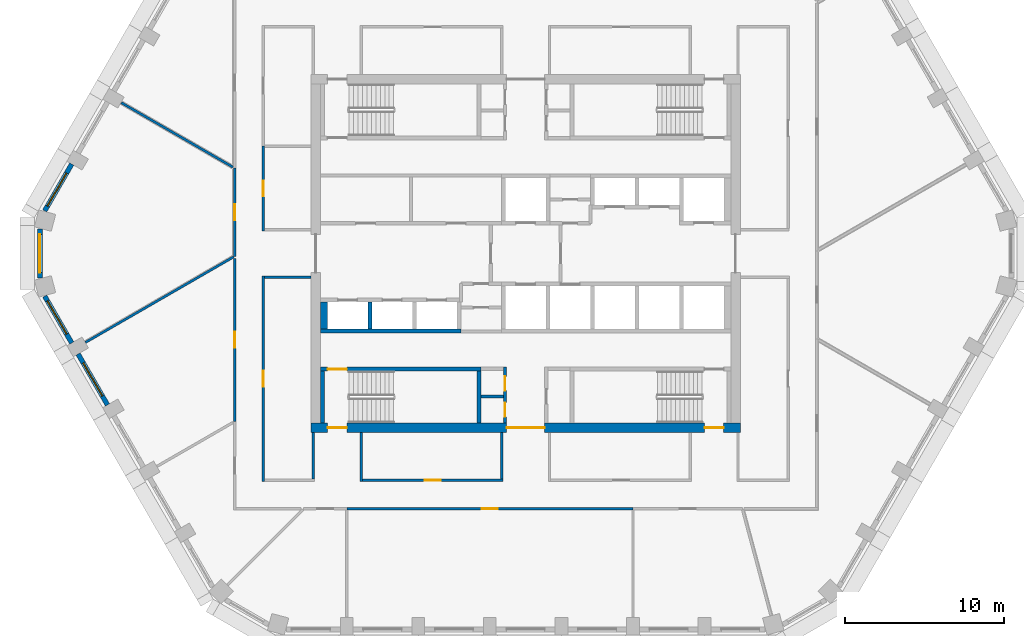
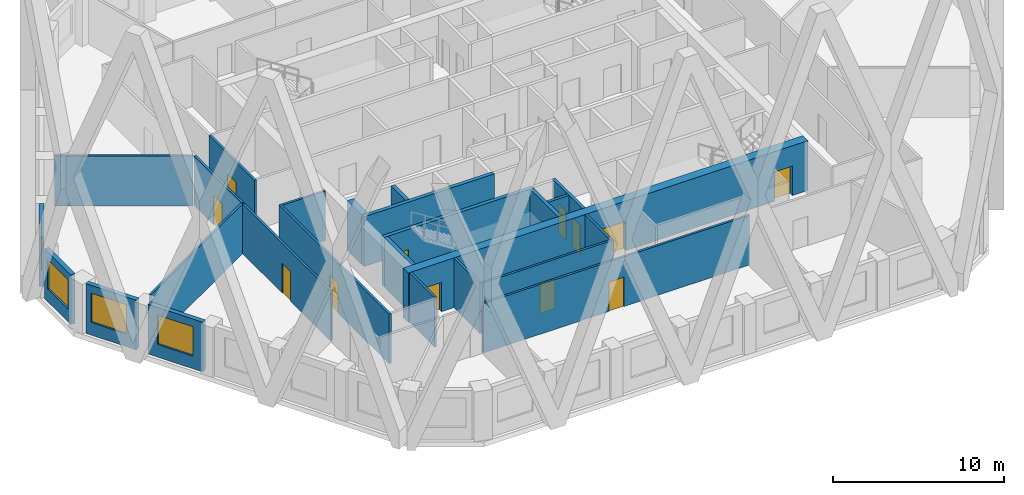
# One storey, part 2 of 16: 25 walls, 12 doors, 4 windows, 16 openings.
"""IFC4 building model written with IfcOpenShell, lengths in metres."""

from ifc_helpers import new_model, si_unit, direction, frame, frame_2d, origin, place, context, subcontext, project, spatial, polyline, rectangle, outline, extrude, material, layer, layer_set, type_object, element, fill, save


model = new_model("IFC4")

# Units and contexts
model_context = context("Model", 3, precision=1e-05, world=origin(), true_north=direction((0.0, 1.0)))
body_context = subcontext(model_context, "Body", "Model", "MODEL_VIEW")
ifc_project = project(units=[si_unit("LENGTHUNIT", "METRE"), si_unit("AREAUNIT", "SQUARE_METRE"), si_unit("VOLUMEUNIT", "CUBIC_METRE"), si_unit("PLANEANGLEUNIT", "RADIAN"), si_unit("MASSUNIT", "GRAM", prefix="KILO")], contexts=[model_context])

# Site, building, storey
site_placement = place(None, origin())
site = spatial("IfcSite", under=ifc_project, at=site_placement, CompositionType="ELEMENT")
building_placement = place(site_placement, origin())
building = spatial("IfcBuilding", under=site, at=building_placement, Name="Dhurran Vertical Campus", CompositionType="ELEMENT")
storey_placement = place(building_placement, frame((0.0, 0.0, 183.89990234375)))
storey = spatial("IfcBuildingStorey", under=building, at=storey_placement, Name="L45", CompositionType="ELEMENT", Elevation=183.89990234375)

# Wall, opening, window
ifc_material_1 = material(Name="Precast concrete C50/60", Category="concrete")
ifc_layer_1 = layer(ifc_material_1, 0.300048828125)
ifc_layer_set_1 = layer_set([ifc_layer_1], Name="Precast concrete C50/60")
wall_type_1 = type_object("IfcWallType", Name="Precast spandrel wall 300", PredefinedType="SOLIDWALL", material=ifc_layer_set_1)
wall_1_placement = place(storey_placement, frame((-28.544189453125, 5.625244140625, 0.0), z_axis=(0.0, 0.0, 1.0), x_axis=(-0.500012868213, -0.866017974191, 0.0)))
wall_1 = element("IfcWall", 1, at=wall_1_placement, inside=storey, type_object=wall_type_1, Name="EW1 L45.32", PredefinedType="SOLIDWALL", context=body_context, shape_type="SweptSolid", body=[
    extrude(rectangle(XDim=3.39599609375, YDim=0.300048828125, at=frame_2d((1.697998046875, 0.0))), origin(), (0.0, 0.0, 1.0), 3.550048828125),
])
opening_1_placement = place(wall_1_placement, frame((0.6494140625, 0.0, 0.89990234375)))
opening_1 = element("IfcOpeningElement", 2, at=opening_1_placement, cuts=wall_1, Name="Opening WT1", PredefinedType="OPENING", context=body_context, shape_type="SweptSolid", body=[
    extrude(rectangle(XDim=2.39990234375, YDim=2.10009765625, at=frame_2d((1.199951171875, 1.050048828125))), frame((0.0, 0.159912109375, 0.0), z_axis=(0.0, -1.0, 0.0), x_axis=(1.0, 0.0, 0.0)), (0.0, 0.0, 1.0), 0.320068359375),
])
ifc_material_2 = material(Name="Aluminium frame with solar-control glass", Category="aluminium")
window_type = type_object("IfcWindowType", Name="Punched window 2400 x 2100", PartitioningType="SINGLE_PANEL", PredefinedType="WINDOW", material=ifc_material_2)
window_1_placement = place(opening_1_placement, origin())
window_1 = element("IfcWindow", 3, at=window_1_placement, inside=storey, type_object=window_type, Name="WT1 L45.32", OverallHeight=2.10009765625, OverallWidth=2.39990234375, PartitioningType="SINGLE_PANEL", PredefinedType="WINDOW", context=body_context, shape_type="SweptSolid", body=[
    extrude(rectangle(XDim=2.39990234375, YDim=2.10009765625, at=frame_2d((1.199951171875, 1.050048828125))), frame((0.0, 0.030029296875, 0.0), z_axis=(0.0, -1.0, 0.0), x_axis=(1.0, 0.0, 0.0)), (0.0, 0.0, 1.0), 0.06005859375),
])
fill(opening_1, window_1)

wall_2_placement = place(storey_placement, frame((-30.547119140625, 1.54638671875, 0.0), z_axis=(0.0, 0.0, 1.0), x_axis=(0.0, -1.0, 0.0)))
wall_2 = element("IfcWall", 4, at=wall_2_placement, inside=storey, type_object=wall_type_1, Name="EW1 L45.33", PredefinedType="SOLIDWALL", context=body_context, shape_type="SweptSolid", body=[
    extrude(rectangle(XDim=3.0927734375, YDim=0.300048828125, at=frame_2d((1.54638671875, 0.0))), origin(), (0.0, 0.0, 1.0), 3.550048828125),
])
opening_2_placement = place(wall_2_placement, frame((0.34619140625, 0.0, 0.89990234375)))
opening_2 = element("IfcOpeningElement", 5, at=opening_2_placement, cuts=wall_2, Name="Opening WT1", PredefinedType="OPENING", context=body_context, shape_type="SweptSolid", body=[
    extrude(rectangle(XDim=2.39990234375, YDim=2.10009765625, at=frame_2d((1.199951171875, 1.050048828125))), frame((0.0, 0.159912109375, 0.0), z_axis=(0.0, -1.0, 0.0), x_axis=(1.0, 0.0, 0.0)), (0.0, 0.0, 1.0), 0.320068359375),
])
window_2_placement = place(opening_2_placement, origin())
window_2 = element("IfcWindow", 6, at=window_2_placement, inside=storey, type_object=window_type, Name="WT1 L45.33", OverallHeight=2.10009765625, OverallWidth=2.39990234375, PartitioningType="SINGLE_PANEL", PredefinedType="WINDOW", context=body_context, shape_type="SweptSolid", body=[
    extrude(rectangle(XDim=2.39990234375, YDim=2.10009765625, at=frame_2d((1.199951171875, 1.050048828125))), frame((0.0, 0.030029296875, 0.0), z_axis=(0.0, -1.0, 0.0), x_axis=(1.0, 0.0, 0.0)), (0.0, 0.0, 1.0), 0.06005859375),
])
fill(opening_2, window_2)

wall_3_placement = place(storey_placement, frame((-30.2421875, -2.684326171875, 0.0), z_axis=(0.0, 0.0, 1.0), x_axis=(0.500012868213, -0.866017974191, 0.0)))
wall_3 = element("IfcWall", 7, at=wall_3_placement, inside=storey, type_object=wall_type_1, Name="EW1 L45.34", PredefinedType="SOLIDWALL", context=body_context, shape_type="SweptSolid", body=[
    extrude(rectangle(XDim=3.39599609375, YDim=0.300048828125, at=frame_2d((1.697998046875, 0.0))), origin(), (0.0, 0.0, 1.0), 3.550048828125),
])
opening_3_placement = place(wall_3_placement, frame((0.346435546875, 0.0, 0.89990234375)))
opening_3 = element("IfcOpeningElement", 8, at=opening_3_placement, cuts=wall_3, Name="Opening WT1", PredefinedType="OPENING", context=body_context, shape_type="SweptSolid", body=[
    extrude(rectangle(XDim=2.39990234375, YDim=2.10009765625, at=frame_2d((1.199951171875, 1.050048828125))), frame((0.0, 0.159912109375, 0.0), z_axis=(0.0, -1.0, 0.0), x_axis=(1.0, 0.0, 0.0)), (0.0, 0.0, 1.0), 0.320068359375),
])
window_3_placement = place(opening_3_placement, origin())
window_3 = element("IfcWindow", 9, at=window_3_placement, inside=storey, type_object=window_type, Name="WT1 L45.34", OverallHeight=2.10009765625, OverallWidth=2.39990234375, PartitioningType="SINGLE_PANEL", PredefinedType="WINDOW", context=body_context, shape_type="SweptSolid", body=[
    extrude(rectangle(XDim=2.39990234375, YDim=2.10009765625, at=frame_2d((1.199951171875, 1.050048828125))), frame((0.0, 0.030029296875, 0.0), z_axis=(0.0, -1.0, 0.0), x_axis=(1.0, 0.0, 0.0)), (0.0, 0.0, 1.0), 0.06005859375),
])
fill(opening_3, window_3)

wall_4_placement = place(storey_placement, frame((-28.143798828125, -6.319091796875, 0.0), z_axis=(0.0, 0.0, 1.0), x_axis=(0.500029062817, -0.866008623709, 0.0)))
wall_4 = element("IfcWall", 10, at=wall_4_placement, inside=storey, type_object=wall_type_1, Name="EW1 L45.35", PredefinedType="SOLIDWALL", context=body_context, shape_type="SweptSolid", body=[
    extrude(rectangle(XDim=3.698974609375, YDim=0.300048828125, at=frame_2d((1.849609375, 0.0))), origin(), (0.0, 0.0, 1.0), 3.550048828125),
])
opening_4_placement = place(wall_4_placement, frame((0.6494140625, 0.0, 0.89990234375)))
opening_4 = element("IfcOpeningElement", 11, at=opening_4_placement, cuts=wall_4, Name="Opening WT1", PredefinedType="OPENING", context=body_context, shape_type="SweptSolid", body=[
    extrude(rectangle(XDim=2.39990234375, YDim=2.10009765625, at=frame_2d((1.199951171875, 1.050048828125))), frame((0.0, 0.159912109375, 0.0), z_axis=(0.0, -1.0, 0.0), x_axis=(1.0, 0.0, 0.0)), (0.0, 0.0, 1.0), 0.320068359375),
])
window_4_placement = place(opening_4_placement, origin())
window_4 = element("IfcWindow", 12, at=window_4_placement, inside=storey, type_object=window_type, Name="WT1 L45.35", OverallHeight=2.10009765625, OverallWidth=2.39990234375, PartitioningType="SINGLE_PANEL", PredefinedType="WINDOW", context=body_context, shape_type="SweptSolid", body=[
    extrude(rectangle(XDim=2.39990234375, YDim=2.10009765625, at=frame_2d((1.199951171875, 1.050048828125))), frame((0.0, 0.030029296875, 0.0), z_axis=(0.0, -1.0, 0.0), x_axis=(1.0, 0.0, 0.0)), (0.0, 0.0, 1.0), 0.06005859375),
])
fill(opening_4, window_4)

# Wall, openings, doors
ifc_material_3 = material(Name="Concrete C50/60", Category="concrete")
ifc_layer_2 = layer(ifc_material_3, 0.60009765625)
ifc_layer_set_2 = layer_set([ifc_layer_2], Name="Concrete C50/60")
wall_type_2 = type_object("IfcWallType", Name="co-CORE-WALL-C2-600", PredefinedType="SHEAR", material=ifc_layer_set_2)
wall_5_placement = place(storey_placement, frame((-13.5, -10.949951171875, 0.0), z_axis=(0.0, 0.0, 1.0), x_axis=(1.0, 0.0, 0.0)))
wall_5 = element("IfcWall", 13, at=wall_5_placement, inside=storey, type_object=wall_type_2, Name="Core wall S L45", PredefinedType="SHEAR", context=body_context, shape_type="SweptSolid", body=[
    extrude(rectangle(XDim=27.0, YDim=0.60009765625, at=frame_2d((13.5, 0.0))), origin(), (0.0, 0.0, 1.0), 3.550048828125),
])
opening_5_placement = place(wall_5_placement, frame((12.300048828125, 0.0, 0.0)))
opening_5 = element("IfcOpeningElement", 14, at=opening_5_placement, cuts=wall_5, Name="Opening CV2", PredefinedType="OPENING", context=body_context, shape_type="SweptSolid", body=[
    extrude(rectangle(XDim=2.39990234375, YDim=2.10009765625, at=frame_2d((1.199951171875, 1.050048828125))), frame((0.0, 0.31005859375, 0.0), z_axis=(0.0, -1.0, 0.0), x_axis=(1.0, 0.0, 0.0)), (0.0, 0.0, 1.0), 0.6201171875),
])
opening_6_placement = place(wall_5_placement, frame((1.050048828125, 0.0, 0.0)))
opening_6 = element("IfcOpeningElement", 15, at=opening_6_placement, cuts=wall_5, Name="Opening XD3", PredefinedType="OPENING", context=body_context, shape_type="SweptSolid", body=[
    extrude(rectangle(XDim=1.199951171875, YDim=2.10009765625, at=frame_2d((0.60009765625, 1.050048828125))), frame((0.0, 0.31005859375, 0.0), z_axis=(0.0, -1.0, 0.0), x_axis=(1.0, 0.0, 0.0)), (0.0, 0.0, 1.0), 0.6201171875),
])
opening_7_placement = place(wall_5_placement, frame((24.75, 0.0, 0.0)))
opening_7 = element("IfcOpeningElement", 16, at=opening_7_placement, cuts=wall_5, Name="Opening XD4", PredefinedType="OPENING", context=body_context, shape_type="SweptSolid", body=[
    extrude(rectangle(XDim=1.199951171875, YDim=2.10009765625, at=frame_2d((0.60009765625, 1.050048828125))), frame((0.0, 0.31005859375, 0.0), z_axis=(0.0, -1.0, 0.0), x_axis=(1.0, 0.0, 0.0)), (0.0, 0.0, 1.0), 0.6201171875),
])
ifc_material_4 = material(Name="Fire-rated glazed door set")
door_type_1 = type_object("IfcDoorType", Name="co-D-LOBBY 2400x2100", OperationType="DOUBLE_DOOR_DOUBLE_SWING", PredefinedType="DOOR", material=ifc_material_4)
door_1_placement = place(opening_5_placement, origin())
door_1 = element("IfcDoor", 17, at=door_1_placement, inside=storey, type_object=door_type_1, Name="Core vestibule door S L45", OperationType="DOUBLE_DOOR_DOUBLE_SWING", OverallHeight=2.10009765625, OverallWidth=2.39990234375, PredefinedType="DOOR", context=body_context, shape_type="SweptSolid", body=[
    extrude(rectangle(XDim=2.39990234375, YDim=2.10009765625, at=frame_2d((1.199951171875, 1.050048828125))), frame((0.0, 0.02490234375, 0.0), z_axis=(0.0, -1.0, 0.0), x_axis=(1.0, 0.0, 0.0)), (0.0, 0.0, 1.0), 0.050048828125),
])
fill(opening_5, door_1)
ifc_material_5 = material(Name="Fire-rated steel door set", Category="steel")
door_type_2 = type_object("IfcDoorType", Name="co-D-STAIR-EXIT 1200x2100", OperationType="SINGLE_SWING_RIGHT", PredefinedType="DOOR", material=ifc_material_5)
door_2_placement = place(opening_6_placement, origin())
door_2 = element("IfcDoor", 18, at=door_2_placement, inside=storey, type_object=door_type_2, Name="Stair ST3 exit door L45", OperationType="SINGLE_SWING_RIGHT", OverallHeight=2.10009765625, OverallWidth=1.199951171875, PredefinedType="DOOR", context=body_context, shape_type="SweptSolid", body=[
    extrude(rectangle(XDim=1.199951171875, YDim=2.10009765625, at=frame_2d((0.60009765625, 1.050048828125))), frame((0.0, 0.02490234375, 0.0), z_axis=(0.0, -1.0, 0.0), x_axis=(1.0, 0.0, 0.0)), (0.0, 0.0, 1.0), 0.050048828125),
])
fill(opening_6, door_2)
door_3_placement = place(opening_7_placement, origin())
door_3 = element("IfcDoor", 19, at=door_3_placement, inside=storey, type_object=door_type_2, Name="Stair ST4 exit door L45", OperationType="SINGLE_SWING_RIGHT", OverallHeight=2.10009765625, OverallWidth=1.199951171875, PredefinedType="DOOR", context=body_context, shape_type="SweptSolid", body=[
    extrude(rectangle(XDim=1.199951171875, YDim=2.10009765625, at=frame_2d((0.60009765625, 1.050048828125))), frame((0.0, 0.02490234375, 0.0), z_axis=(0.0, -1.0, 0.0), x_axis=(1.0, 0.0, 0.0)), (0.0, 0.0, 1.0), 0.050048828125),
])
fill(opening_7, door_3)

# Wall
ifc_material_6 = material(Name="Fire-rated masonry blockwork", Category="masonry")
ifc_layer_3 = layer(ifc_material_6, 0.199951171875)
ifc_layer_set_3 = layer_set([ifc_layer_3], Name="Fire-rated masonry blockwork")
wall_type_3 = type_object("IfcWallType", Name="co-FIRE-PARTITION-200", PredefinedType="PARTITIONING", material=ifc_layer_set_3)
wall_6_placement = place(storey_placement, frame((-2.800048828125, -9.0, 0.0), z_axis=(0.0, 0.0, 1.0), x_axis=(1.0, 0.0, 0.0)))
element("IfcWall", 20, at=wall_6_placement, inside=storey, type_object=wall_type_3, Name="Core partition sl-SW-cut0 L45", PredefinedType="PARTITIONING", context=body_context, shape_type="SweptSolid", body=[
    extrude(rectangle(XDim=1.400146484375, YDim=0.199951171875, at=frame_2d((0.7001953125, 0.0))), origin(), (0.0, 0.0, 1.0), 3.550048828125),
])

# Wall, openings, doors
wall_7_placement = place(storey_placement, frame((-1.300048828125, -10.64990234375, 0.0), z_axis=(0.0, 0.0, 1.0), x_axis=(0.0, 1.0, 0.0)))
wall_7 = element("IfcWall", 21, at=wall_7_placement, inside=storey, type_object=wall_type_3, Name="Core partition vest-SW L45", PredefinedType="PARTITIONING", context=body_context, shape_type="SweptSolid", body=[
    extrude(rectangle(XDim=3.5, YDim=0.199951171875, at=frame_2d((1.75, 0.0))), origin(), (0.0, 0.0, 1.0), 3.550048828125),
])
opening_8_placement = place(wall_7_placement, frame((0.375, 0.0, 0.0)))
opening_8 = element("IfcOpeningElement", 22, at=opening_8_placement, cuts=wall_7, Name="Opening T13-C1", PredefinedType="OPENING", context=body_context, shape_type="SweptSolid", body=[
    extrude(rectangle(XDim=0.89990234375, YDim=2.10009765625, at=frame_2d((0.449951171875, 1.050048828125))), frame((0.0, 0.10986328125, 0.0), z_axis=(0.0, -1.0, 0.0), x_axis=(1.0, 0.0, 0.0)), (0.0, 0.0, 1.0), 0.219970703125),
])
opening_9_placement = place(wall_7_placement, frame((2.02490234375, 0.0, 0.0)))
opening_9 = element("IfcOpeningElement", 23, at=opening_9_placement, cuts=wall_7, Name="Opening T13-C2", PredefinedType="OPENING", context=body_context, shape_type="SweptSolid", body=[
    extrude(rectangle(XDim=0.89990234375, YDim=2.10009765625, at=frame_2d((0.449951171875, 1.050048828125))), frame((0.0, 0.10986328125, 0.0), z_axis=(0.0, -1.0, 0.0), x_axis=(1.0, 0.0, 0.0)), (0.0, 0.0, 1.0), 0.219970703125),
])
ifc_material_7 = material(Name="Fire-rated timber door set", Category="wood")
door_type_3 = type_object("IfcDoorType", Name="co-D-ROOM 900x2100", OperationType="SINGLE_SWING_LEFT", PredefinedType="DOOR", material=ifc_material_7)
door_4_placement = place(opening_8_placement, origin())
door_4 = element("IfcDoor", 24, at=door_4_placement, inside=storey, type_object=door_type_3, Name="Print room door L45", OperationType="SINGLE_SWING_LEFT", OverallHeight=2.10009765625, OverallWidth=0.89990234375, PredefinedType="DOOR", context=body_context, shape_type="SweptSolid", body=[
    extrude(rectangle(XDim=0.89990234375, YDim=2.10009765625, at=frame_2d((0.449951171875, 1.050048828125))), frame((0.0, 0.02490234375, 0.0), z_axis=(0.0, -1.0, 0.0), x_axis=(1.0, 0.0, 0.0)), (0.0, 0.0, 1.0), 0.050048828125),
])
fill(opening_8, door_4)
door_5_placement = place(opening_9_placement, origin())
door_5 = element("IfcDoor", 25, at=door_5_placement, inside=storey, type_object=door_type_3, Name="Communications room door L45", OperationType="SINGLE_SWING_LEFT", OverallHeight=2.10009765625, OverallWidth=0.89990234375, PredefinedType="DOOR", context=body_context, shape_type="SweptSolid", body=[
    extrude(rectangle(XDim=0.89990234375, YDim=2.10009765625, at=frame_2d((0.449951171875, 1.050048828125))), frame((0.0, 0.02490234375, 0.0), z_axis=(0.0, -1.0, 0.0), x_axis=(1.0, 0.0, 0.0)), (0.0, 0.0, 1.0), 0.050048828125),
])
fill(opening_9, door_5)

# Walls
ifc_material_8 = material(Name="Concrete C50/60", Category="concrete")
ifc_layer_4 = layer(ifc_material_8, 0.25)
ifc_layer_set_4 = layer_set([ifc_layer_4], Name="Concrete C50/60")
wall_type_4 = type_object("IfcWallType", Name="co-SHAFT-MASS-250", PredefinedType="SHEAR", material=ifc_layer_set_4)
wall_8_placement = place(storey_placement, origin())
element("IfcWall", 26, at=wall_8_placement, inside=storey, type_object=wall_type_4, Name="Lift shaft wall S L45 1", PredefinedType="SHEAR", context=body_context, shape_type="SweptSolid", body=[
    extrude(outline(polyline([(-12.89990234375, -5.0), (-4.074951171875, -5.0), (-4.074951171875, -4.75), (-12.89990234375, -4.75), (-12.89990234375, -5.0)])), origin(), (0.0, 0.0, 1.0), 3.550048828125),
])
wall_9_placement = place(storey_placement, origin())
element("IfcWall", 27, at=wall_9_placement, inside=storey, type_object=wall_type_4, Name="Lift shaft wall S L45 3", PredefinedType="SHEAR", context=body_context, shape_type="SweptSolid", body=[
    extrude(outline(polyline([(-12.89990234375, -4.75), (-12.47509765625, -4.75), (-12.47509765625, -3.050048828125), (-12.89990234375, -3.050048828125), (-12.89990234375, -4.75)])), origin(), (0.0, 0.0, 1.0), 3.550048828125),
])
wall_10_placement = place(storey_placement, origin())
element("IfcWall", 28, at=wall_10_placement, inside=storey, type_object=wall_type_4, Name="Lift shaft wall S L45 4", PredefinedType="SHEAR", context=body_context, shape_type="SweptSolid", body=[
    extrude(outline(polyline([(-9.925048828125, -4.75), (-9.675048828125, -4.75), (-9.675048828125, -3.050048828125), (-9.925048828125, -3.050048828125), (-9.925048828125, -4.75)])), origin(), (0.0, 0.0, 1.0), 3.550048828125),
])

# Wall, opening, door
ifc_material_9 = material(Name="Concrete C40/50", Category="concrete")
ifc_layer_5 = layer(ifc_material_9, 0.25)
ifc_layer_set_5 = layer_set([ifc_layer_5], Name="Concrete C40/50")
wall_type_5 = type_object("IfcWallType", Name="co-STAIR-WALL-250", PredefinedType="SHEAR", material=ifc_layer_set_5)
wall_11_placement = place(storey_placement, frame((-12.89990234375, -7.27490234375, 0.0), z_axis=(0.0, 0.0, 1.0), x_axis=(1.0, 0.0, 0.0)))
wall_11 = element("IfcWall", 29, at=wall_11_placement, inside=storey, type_object=wall_type_5, Name="Stair ST3 enclosure wall L45", PredefinedType="SHEAR", context=body_context, shape_type="SweptSolid", body=[
    extrude(rectangle(XDim=10.099853515625, YDim=0.25, at=frame_2d((5.0498046875, 0.0))), origin(), (0.0, 0.0, 1.0), 3.550048828125),
])
opening_10_placement = place(wall_11_placement, frame((0.449951171875, 0.0, 0.0)))
opening_10 = element("IfcOpeningElement", 30, at=opening_10_placement, cuts=wall_11, Name="Opening SD3", PredefinedType="OPENING", context=body_context, shape_type="SweptSolid", body=[
    extrude(rectangle(XDim=1.199951171875, YDim=2.10009765625, at=frame_2d((0.60009765625, 1.050048828125))), frame((0.0, 0.135009765625, 0.0), z_axis=(0.0, -1.0, 0.0), x_axis=(1.0, 0.0, 0.0)), (0.0, 0.0, 1.0), 0.27001953125),
])
ifc_material_10 = material(Name="Fire-rated steel door set", Category="steel")
door_type_4 = type_object("IfcDoorType", Name="co-D-STAIR 1200x2100", OperationType="SINGLE_SWING_LEFT", PredefinedType="DOOR", material=ifc_material_10)
door_6_placement = place(opening_10_placement, origin())
door_6 = element("IfcDoor", 31, at=door_6_placement, inside=storey, type_object=door_type_4, Name="Stair ST3 door L45", OperationType="SINGLE_SWING_LEFT", OverallHeight=2.10009765625, OverallWidth=1.199951171875, PredefinedType="DOOR", context=body_context, shape_type="SweptSolid", body=[
    extrude(rectangle(XDim=1.199951171875, YDim=2.10009765625, at=frame_2d((0.60009765625, 1.050048828125))), frame((0.0, 0.02490234375, 0.0), z_axis=(0.0, -1.0, 0.0), x_axis=(1.0, 0.0, 0.0)), (0.0, 0.0, 1.0), 0.050048828125),
])
fill(opening_10, door_6)

# Walls
for number, where, z_axis, x_axis, name in (
    (32, (-12.77490234375, -10.64990234375, 0.0), (0.0, 0.0, 1.0), (0.0, 1.0, 0.0), "Stair ST3 enclosure wall L45"),
    (33, (-2.925048828125, -10.64990234375, 0.0), (0.0, 0.0, 1.0), (0.0, 1.0, 0.0), "Stair ST3 enclosure wall L45"),
):
    element("IfcWall", number, at=place(storey_placement, frame(where, z_axis=z_axis, x_axis=x_axis)), inside=storey, type_object=wall_type_5, Name=name, PredefinedType="SHEAR", context=body_context, shape_type="SweptSolid", body=[
        extrude(rectangle(XDim=3.25, YDim=0.25, at=frame_2d((1.625, 0.0))), origin(), (0.0, 0.0, 1.0), 3.550048828125),
    ])

# Wall, opening, door
ifc_material_11 = material(Name="Gypsum board corridor wall on steel studs", Category="steel")
ifc_layer_6 = layer(ifc_material_11, 0.14990234375)
ifc_layer_set_6 = layer_set([ifc_layer_6], Name="Gypsum board corridor wall on steel studs")
wall_type_6 = type_object("IfcWallType", Name="fl-CW-150 corridor wall", PredefinedType="PARTITIONING", material=ifc_layer_set_6)
wall_12_placement = place(storey_placement, frame((-18.300048828125, -0.302978515625, 0.0), z_axis=(0.0, 0.0, 1.0), x_axis=(0.0, -1.0, 0.0)))
wall_12 = element("IfcWall", 34, at=wall_12_placement, inside=storey, type_object=wall_type_6, Name="Partition 45-07", PredefinedType="PARTITIONING", context=body_context, shape_type="SweptSolid", body=[
    extrude(rectangle(XDim=10.262939453125, YDim=0.14990234375, at=frame_2d((5.13134765625, 0.0))), origin(), (0.0, 0.0, 1.0), 3.550048828125),
])
opening_11_placement = place(wall_12_placement, frame((4.631591796875, 0.0, 0.0)))
opening_11 = element("IfcOpeningElement", 35, at=opening_11_placement, cuts=wall_12, Name="Opening T13.02", PredefinedType="OPENING", context=body_context, shape_type="SweptSolid", body=[
    extrude(rectangle(XDim=1.0, YDim=2.10009765625, at=frame_2d((0.5, 1.050048828125))), frame((0.0, 0.0849609375, 0.0), z_axis=(0.0, -1.0, 0.0), x_axis=(1.0, 0.0, 0.0)), (0.0, 0.0, 1.0), 0.169921875),
])
ifc_material_12 = material(Name="Solid-core timber door set, fire-rated", Category="wood")
door_type_5 = type_object("IfcDoorType", Name="fl-D-1000x2100", OperationType="SINGLE_SWING_LEFT", PredefinedType="DOOR", material=ifc_material_12)
door_7_placement = place(opening_11_placement, origin())
door_7 = element("IfcDoor", 36, at=door_7_placement, inside=storey, type_object=door_type_5, Name="Door 45.02", OperationType="SINGLE_SWING_RIGHT", OverallHeight=2.10009765625, OverallWidth=1.0, PredefinedType="DOOR", context=body_context, shape_type="SweptSolid", body=[
    extrude(rectangle(XDim=1.0, YDim=2.10009765625, at=frame_2d((0.5, 1.050048828125))), frame((0.0, 0.02490234375, 0.0), z_axis=(0.0, -1.0, 0.0), x_axis=(1.0, 0.0, 0.0)), (0.0, 0.0, 1.0), 0.050048828125),
])
fill(opening_11, door_7)

wall_13_placement = place(storey_placement, frame((-18.300048828125, 5.368896484375, 0.0), z_axis=(0.0, 0.0, 1.0), x_axis=(0.0, -1.0, 0.0)))
wall_13 = element("IfcWall", 37, at=wall_13_placement, inside=storey, type_object=wall_type_6, Name="Partition 45-08", PredefinedType="PARTITIONING", context=body_context, shape_type="SweptSolid", body=[
    extrude(rectangle(XDim=5.5419921875, YDim=0.14990234375, at=frame_2d((2.77099609375, 0.0))), origin(), (0.0, 0.0, 1.0), 3.550048828125),
])
opening_12_placement = place(wall_13_placement, frame((2.27099609375, 0.0, 0.0)))
opening_12 = element("IfcOpeningElement", 38, at=opening_12_placement, cuts=wall_13, Name="Opening T13.01", PredefinedType="OPENING", context=body_context, shape_type="SweptSolid", body=[
    extrude(rectangle(XDim=1.0, YDim=2.10009765625, at=frame_2d((0.5, 1.050048828125))), frame((0.0, 0.0849609375, 0.0), z_axis=(0.0, -1.0, 0.0), x_axis=(1.0, 0.0, 0.0)), (0.0, 0.0, 1.0), 0.169921875),
])
door_8_placement = place(opening_12_placement, origin())
door_8 = element("IfcDoor", 39, at=door_8_placement, inside=storey, type_object=door_type_5, Name="Door 45.01", OperationType="SINGLE_SWING_LEFT", OverallHeight=2.10009765625, OverallWidth=1.0, PredefinedType="DOOR", context=body_context, shape_type="SweptSolid", body=[
    extrude(rectangle(XDim=1.0, YDim=2.10009765625, at=frame_2d((0.5, 1.050048828125))), frame((0.0, 0.02490234375, 0.0), z_axis=(0.0, -1.0, 0.0), x_axis=(1.0, 0.0, 0.0)), (0.0, 0.0, 1.0), 0.050048828125),
])
fill(opening_12, door_8)

wall_14_placement = place(storey_placement, frame((-16.5, -14.324951171875, 0.0), z_axis=(0.0, 0.0, 1.0), x_axis=(0.0, 1.0, 0.0)))
wall_14 = element("IfcWall", 40, at=wall_14_placement, inside=storey, type_object=wall_type_6, Name="Partition 45-11", PredefinedType="PARTITIONING", context=body_context, shape_type="SweptSolid", body=[
    extrude(rectangle(XDim=12.89990234375, YDim=0.14990234375, at=frame_2d((6.449951171875, 0.0))), origin(), (0.0, 0.0, 1.0), 3.550048828125),
])
opening_13_placement = place(wall_14_placement, frame((5.949951171875, 0.0, 0.0)))
opening_13 = element("IfcOpeningElement", 41, at=opening_13_placement, cuts=wall_14, Name="Opening T13.06", PredefinedType="OPENING", context=body_context, shape_type="SweptSolid", body=[
    extrude(rectangle(XDim=1.0, YDim=2.10009765625, at=frame_2d((0.5, 1.050048828125))), frame((0.0, 0.0849609375, 0.0), z_axis=(0.0, -1.0, 0.0), x_axis=(1.0, 0.0, 0.0)), (0.0, 0.0, 1.0), 0.169921875),
])
door_9_placement = place(opening_13_placement, origin())
door_9 = element("IfcDoor", 42, at=door_9_placement, inside=storey, type_object=door_type_5, Name="Door 45.06", OperationType="SINGLE_SWING_LEFT", OverallHeight=2.10009765625, OverallWidth=1.0, PredefinedType="DOOR", context=body_context, shape_type="SweptSolid", body=[
    extrude(rectangle(XDim=1.0, YDim=2.10009765625, at=frame_2d((0.5, 1.050048828125))), frame((0.0, 0.02490234375, 0.0), z_axis=(0.0, -1.0, 0.0), x_axis=(1.0, 0.0, 0.0)), (0.0, 0.0, 1.0), 0.050048828125),
])
fill(opening_13, door_9)

# Wall
wall_15_placement = place(storey_placement, frame((-16.425048828125, -1.5, 0.0), z_axis=(0.0, 0.0, 1.0), x_axis=(1.0, 0.0, 0.0)))
element("IfcWall", 43, at=wall_15_placement, inside=storey, type_object=wall_type_6, Name="Partition 45-13", PredefinedType="PARTITIONING", context=body_context, shape_type="SweptSolid", body=[
    extrude(rectangle(XDim=2.925048828125, YDim=0.14990234375, at=frame_2d((1.46240234375, 0.0))), origin(), (0.0, 0.0, 1.0), 3.550048828125),
])

# Wall, opening, door
wall_16_placement = place(storey_placement, frame((-16.5, 1.425048828125, 0.0), z_axis=(0.0, 0.0, 1.0), x_axis=(0.0, 1.0, 0.0)))
wall_16 = element("IfcWall", 44, at=wall_16_placement, inside=storey, type_object=wall_type_6, Name="Partition 45-14", PredefinedType="PARTITIONING", context=body_context, shape_type="SweptSolid", body=[
    extrude(rectangle(XDim=5.324951171875, YDim=0.14990234375, at=frame_2d((2.66259765625, 0.0))), origin(), (0.0, 0.0, 1.0), 3.550048828125),
])
opening_14_placement = place(wall_16_placement, frame((2.16259765625, 0.0, 0.0)))
opening_14 = element("IfcOpeningElement", 45, at=opening_14_placement, cuts=wall_16, Name="Opening T13.05", PredefinedType="OPENING", context=body_context, shape_type="SweptSolid", body=[
    extrude(rectangle(XDim=1.0, YDim=2.10009765625, at=frame_2d((0.5, 1.050048828125))), frame((0.0, 0.0849609375, 0.0), z_axis=(0.0, -1.0, 0.0), x_axis=(1.0, 0.0, 0.0)), (0.0, 0.0, 1.0), 0.169921875),
])
door_10_placement = place(opening_14_placement, origin())
door_10 = element("IfcDoor", 46, at=door_10_placement, inside=storey, type_object=door_type_5, Name="Door 45.05", OperationType="SINGLE_SWING_RIGHT", OverallHeight=2.10009765625, OverallWidth=1.0, PredefinedType="DOOR", context=body_context, shape_type="SweptSolid", body=[
    extrude(rectangle(XDim=1.0, YDim=2.10009765625, at=frame_2d((0.5, 1.050048828125))), frame((0.0, 0.02490234375, 0.0), z_axis=(0.0, -1.0, 0.0), x_axis=(1.0, 0.0, 0.0)), (0.0, 0.0, 1.0), 0.050048828125),
])
fill(opening_14, door_10)

# Wall
wall_17_placement = place(storey_placement, frame((-13.35009765625, -11.25, 0.0), z_axis=(0.0, 0.0, 1.0), x_axis=(0.0, -1.0, 0.0)))
element("IfcWall", 47, at=wall_17_placement, inside=storey, type_object=wall_type_6, Name="Partition 45-22", PredefinedType="PARTITIONING", context=body_context, shape_type="SweptSolid", body=[
    extrude(rectangle(XDim=2.925048828125, YDim=0.14990234375, at=frame_2d((1.46240234375, 0.0))), origin(), (0.0, 0.0, 1.0), 3.550048828125),
])

# Wall, opening, door
wall_18_placement = place(storey_placement, frame((-11.25, -16.050048828125, 0.0), z_axis=(0.0, 0.0, 1.0), x_axis=(1.0, 0.0, 0.0)))
wall_18 = element("IfcWall", 48, at=wall_18_placement, inside=storey, type_object=wall_type_6, Name="Partition 45-25", PredefinedType="PARTITIONING", context=body_context, shape_type="SweptSolid", body=[
    extrude(rectangle(XDim=18.0, YDim=0.14990234375, at=frame_2d((9.0, 0.0))), origin(), (0.0, 0.0, 1.0), 3.550048828125),
])
opening_15_placement = place(wall_18_placement, frame((8.5, 0.0, 0.0)))
opening_15 = element("IfcOpeningElement", 49, at=opening_15_placement, cuts=wall_18, Name="Opening T13.12", PredefinedType="OPENING", context=body_context, shape_type="SweptSolid", body=[
    extrude(rectangle(XDim=1.0, YDim=2.10009765625, at=frame_2d((0.5, 1.050048828125))), frame((0.0, 0.0849609375, 0.0), z_axis=(0.0, -1.0, 0.0), x_axis=(1.0, 0.0, 0.0)), (0.0, 0.0, 1.0), 0.169921875),
])
door_11_placement = place(opening_15_placement, origin())
door_11 = element("IfcDoor", 50, at=door_11_placement, inside=storey, type_object=door_type_5, Name="Door 45.12", OperationType="SINGLE_SWING_RIGHT", OverallHeight=2.10009765625, OverallWidth=1.0, PredefinedType="DOOR", context=body_context, shape_type="SweptSolid", body=[
    extrude(rectangle(XDim=1.0, YDim=2.10009765625, at=frame_2d((0.5, 1.050048828125))), frame((0.0, 0.02490234375, 0.0), z_axis=(0.0, -1.0, 0.0), x_axis=(1.0, 0.0, 0.0)), (0.0, 0.0, 1.0), 0.050048828125),
])
fill(opening_15, door_11)

# Wall
wall_19_placement = place(storey_placement, frame((-10.35009765625, -14.324951171875, 0.0), z_axis=(0.0, 0.0, 1.0), x_axis=(0.0, 1.0, 0.0)))
element("IfcWall", 51, at=wall_19_placement, inside=storey, type_object=wall_type_6, Name="Partition 45-26", PredefinedType="PARTITIONING", context=body_context, shape_type="SweptSolid", body=[
    extrude(rectangle(XDim=3.074951171875, YDim=0.14990234375, at=frame_2d((1.53759765625, 0.0))), origin(), (0.0, 0.0, 1.0), 3.550048828125),
])

# Wall, opening, door
wall_20_placement = place(storey_placement, frame((-1.425048828125, -14.25, 0.0), z_axis=(0.0, 0.0, 1.0), x_axis=(-1.0, 0.0, 0.0)))
wall_20 = element("IfcWall", 52, at=wall_20_placement, inside=storey, type_object=wall_type_6, Name="Partition 45-27", PredefinedType="PARTITIONING", context=body_context, shape_type="SweptSolid", body=[
    extrude(rectangle(XDim=8.849853515625, YDim=0.14990234375, at=frame_2d((4.4248046875, 0.0))), origin(), (0.0, 0.0, 1.0), 3.550048828125),
])
opening_16_placement = place(wall_20_placement, frame((3.925048828125, 0.0, 0.0)))
opening_16 = element("IfcOpeningElement", 53, at=opening_16_placement, cuts=wall_20, Name="Opening T13.10", PredefinedType="OPENING", context=body_context, shape_type="SweptSolid", body=[
    extrude(rectangle(XDim=1.0, YDim=2.10009765625, at=frame_2d((0.5, 1.050048828125))), frame((0.0, 0.0849609375, 0.0), z_axis=(0.0, -1.0, 0.0), x_axis=(1.0, 0.0, 0.0)), (0.0, 0.0, 1.0), 0.169921875),
])
door_12_placement = place(opening_16_placement, origin())
door_12 = element("IfcDoor", 54, at=door_12_placement, inside=storey, type_object=door_type_5, Name="Door 45.10", OperationType="SINGLE_SWING_RIGHT", OverallHeight=2.10009765625, OverallWidth=1.0, PredefinedType="DOOR", context=body_context, shape_type="SweptSolid", body=[
    extrude(rectangle(XDim=1.0, YDim=2.10009765625, at=frame_2d((0.5, 1.050048828125))), frame((0.0, 0.02490234375, 0.0), z_axis=(0.0, -1.0, 0.0), x_axis=(1.0, 0.0, 0.0)), (0.0, 0.0, 1.0), 0.050048828125),
])
fill(opening_16, door_12)

# Walls
wall_21_placement = place(storey_placement, frame((-1.5, -11.25, 0.0), z_axis=(0.0, 0.0, 1.0), x_axis=(0.0, -1.0, 0.0)))
element("IfcWall", 55, at=wall_21_placement, inside=storey, type_object=wall_type_6, Name="Partition 45-32", PredefinedType="PARTITIONING", context=body_context, shape_type="SweptSolid", body=[
    extrude(rectangle(XDim=2.925048828125, YDim=0.14990234375, at=frame_2d((1.46240234375, 0.0))), origin(), (0.0, 0.0, 1.0), 3.550048828125),
])
ifc_material_13 = material(Name="Gypsum board partition on steel studs", Category="steel")
ifc_layer_7 = layer(ifc_material_13, 0.14990234375)
ifc_layer_set_7 = layer_set([ifc_layer_7], Name="Gypsum board partition on steel studs")
wall_type_7 = type_object("IfcWallType", Name="fl-PW-150 fixed partition", PredefinedType="PARTITIONING", material=ifc_layer_set_7)
wall_22_placement = place(storey_placement, frame((-18.364990234375, -0.21044921875, 0.0), z_axis=(0.0, 0.0, 1.0), x_axis=(-0.866008630453, -0.500029051137, 0.0)))
element("IfcWall", 56, at=wall_22_placement, inside=storey, type_object=wall_type_7, Name="Partition 45-01", PredefinedType="PARTITIONING", context=body_context, shape_type="SweptSolid", body=[
    extrude(rectangle(XDim=10.752685546875, YDim=0.14990234375, at=frame_2d((5.37646484375, 0.0))), origin(), (0.0, 0.0, 1.0), 3.550048828125),
])
wall_23_placement = place(storey_placement, frame((-25.42724609375, 9.484130859375, 0.0), z_axis=(0.0, 0.0, 1.0), x_axis=(0.866017937352, -0.500012932018, 0.0)))
element("IfcWall", 57, at=wall_23_placement, inside=storey, type_object=wall_type_7, Name="Partition 45-02", PredefinedType="PARTITIONING", context=body_context, shape_type="SweptSolid", body=[
    extrude(rectangle(XDim=8.099853515625, YDim=0.14990234375, at=frame_2d((4.0498046875, 0.0))), origin(), (0.0, 0.0, 1.0), 3.550048828125),
])

save(model, "model.ifc")
